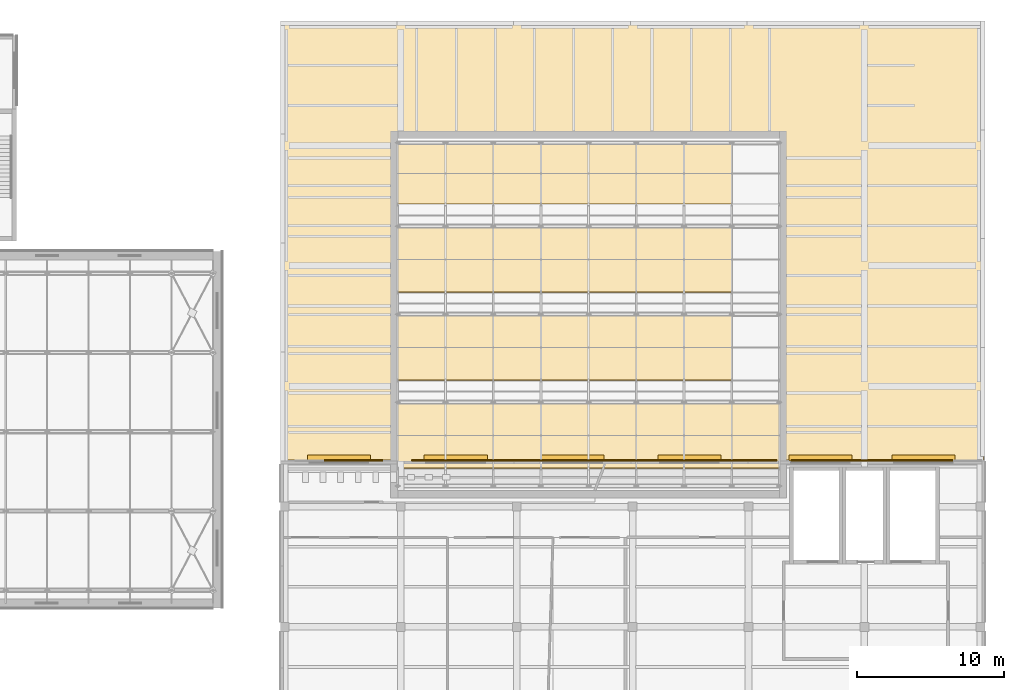
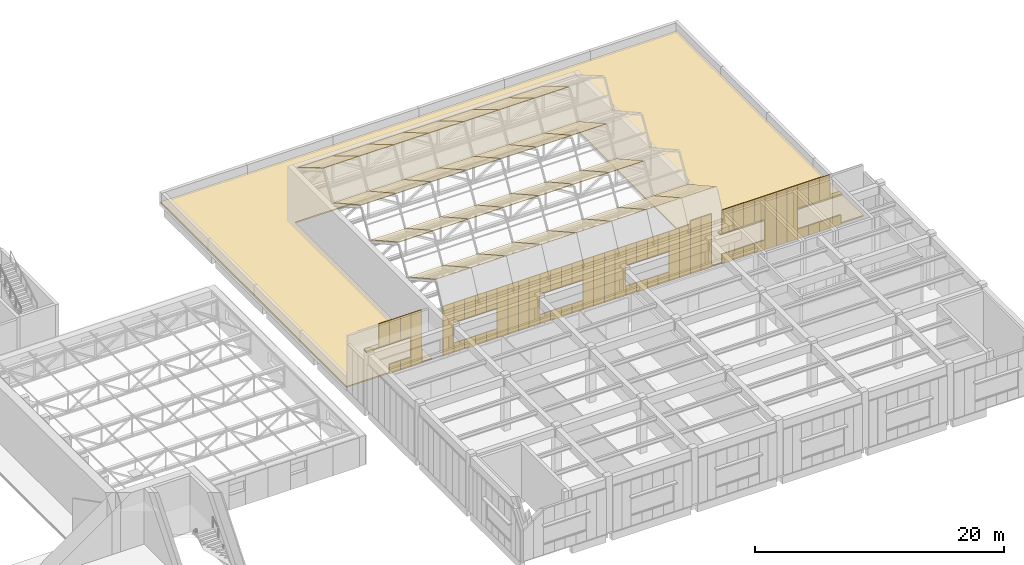
# One storey, part 130 of 132: 91 coverings, 6 shading devices.
"""IFC4 building model written with IfcOpenShell, lengths in metres."""

from ifc_helpers import new_model, si_unit, direction, frame, origin, origin_2d, place, context, subcontext, project, spatial, polyline, rectangle, outline, extrude, material, layer, layer_set, type_object, element, save


model = new_model("IFC4")

# Units and contexts
model_context = context("Model", 3, precision=1e-05, world=origin(), true_north=direction((0.0, 1.0)))
body_context = subcontext(model_context, "Body", "Model", "MODEL_VIEW")
ifc_project = project(units=[si_unit("LENGTHUNIT", "METRE"), si_unit("AREAUNIT", "SQUARE_METRE"), si_unit("VOLUMEUNIT", "CUBIC_METRE"), si_unit("PLANEANGLEUNIT", "RADIAN"), si_unit("MASSUNIT", "GRAM", prefix="KILO")], contexts=[model_context])

# Site, building, storey
site_placement = place(None, origin())
site = spatial("IfcSite", under=ifc_project, at=site_placement, CompositionType="ELEMENT")
building_placement = place(site_placement, origin())
building = spatial("IfcBuilding", under=site, at=building_placement, Name="Lunette Opera House", CompositionType="ELEMENT")
storey_placement = place(building_placement, frame((0.0, 0.0, 17.0)))
storey = spatial("IfcBuildingStorey", under=building, at=storey_placement, Name="L03", CompositionType="ELEMENT", Elevation=17.0)

# Coverings
ifc_material_1 = material(Name="Dark grey aluminium cassette", Category="aluminium")
ifc_layer_1 = layer(ifc_material_1, 0.080078125)
ifc_layer_set_1 = layer_set([ifc_layer_1], Name="Dark grey aluminium cassette")
covering_type_1 = type_object("IfcCoveringType", Name="DARK METAL CASSETTE 80", PredefinedType="CLADDING", material=ifc_layer_set_1)
for number, where, z_axis, x_axis, name in (
    (1, (181.31689453125, 106.0400390625, 0.0), (0.0, 0.0, 1.0), (-1.0, 0.0, 0.0), "Dark Metal Cassette 80 WK L03"),
    (2, (180.31689453125, 106.0400390625, 0.0), (0.0, 0.0, 1.0), (-1.0, 0.0, 0.0), "Dark Metal Cassette 80 WK L03"),
):
    element("IfcCovering", number, at=place(storey_placement, frame(where, z_axis=z_axis, x_axis=x_axis)), inside=storey, type_object=covering_type_1, Name=name, PredefinedType="CLADDING", context=body_context, shape_type="SweptSolid", body=[
        extrude(rectangle(XDim=1.0, YDim=0.080078125, at=origin_2d()), origin(), (0.0, 0.0, 1.0), 0.949951171875),
    ])
covering_1_placement = place(storey_placement, frame((180.31689453125, 106.0400390625, 3.0), z_axis=(0.0, 0.0, 1.0), x_axis=(-1.0, 0.0, 0.0)))
element("IfcCovering", 3, at=covering_1_placement, inside=storey, type_object=covering_type_1, Name="Dark Metal Cassette 80 WK L03", PredefinedType="CLADDING", context=body_context, shape_type="SweptSolid", body=[
    extrude(rectangle(XDim=1.0, YDim=0.080078125, at=origin_2d()), origin(), (0.0, 0.0, 1.0), 2.25),
])
covering_2_placement = place(storey_placement, frame((179.31689453125, 106.0400390625, 0.0), z_axis=(0.0, 0.0, 1.0), x_axis=(-1.0, 0.0, 0.0)))
element("IfcCovering", 4, at=covering_2_placement, inside=storey, type_object=covering_type_1, Name="Dark Metal Cassette 80 WK L03", PredefinedType="CLADDING", context=body_context, shape_type="SweptSolid", body=[
    extrude(rectangle(XDim=1.0, YDim=0.080078125, at=origin_2d()), origin(), (0.0, 0.0, 1.0), 0.949951171875),
])
covering_3_placement = place(storey_placement, frame((179.31689453125, 106.0400390625, 3.0), z_axis=(0.0, 0.0, 1.0), x_axis=(-1.0, 0.0, 0.0)))
element("IfcCovering", 5, at=covering_3_placement, inside=storey, type_object=covering_type_1, Name="Dark Metal Cassette 80 WK L03", PredefinedType="CLADDING", context=body_context, shape_type="SweptSolid", body=[
    extrude(rectangle(XDim=1.0, YDim=0.080078125, at=origin_2d()), origin(), (0.0, 0.0, 1.0), 2.25),
])
covering_4_placement = place(storey_placement, frame((178.31689453125, 106.0400390625, 0.0), z_axis=(0.0, 0.0, 1.0), x_axis=(-1.0, 0.0, 0.0)))
element("IfcCovering", 6, at=covering_4_placement, inside=storey, type_object=covering_type_1, Name="Dark Metal Cassette 80 WK L03", PredefinedType="CLADDING", context=body_context, shape_type="SweptSolid", body=[
    extrude(rectangle(XDim=1.0, YDim=0.080078125, at=origin_2d()), origin(), (0.0, 0.0, 1.0), 0.949951171875),
])
covering_5_placement = place(storey_placement, frame((178.31689453125, 106.0400390625, 3.0), z_axis=(0.0, 0.0, 1.0), x_axis=(-1.0, 0.0, 0.0)))
element("IfcCovering", 7, at=covering_5_placement, inside=storey, type_object=covering_type_1, Name="Dark Metal Cassette 80 WK L03", PredefinedType="CLADDING", context=body_context, shape_type="SweptSolid", body=[
    extrude(rectangle(XDim=1.0, YDim=0.080078125, at=origin_2d()), origin(), (0.0, 0.0, 1.0), 2.25),
])
for number, where, z_axis, x_axis, name in (
    (8, (177.321044921875, 106.0400390625, 0.0), (0.0, 0.0, 1.0), (-1.0, 0.0, 0.0), "Dark Metal Cassette 80 WK L03"),
    (9, (176.3291015625, 106.0400390625, 0.0), (0.0, 0.0, 1.0), (-1.0, 0.0, 0.0), "Dark Metal Cassette 80 WK L03"),
):
    element("IfcCovering", number, at=place(storey_placement, frame(where, z_axis=z_axis, x_axis=x_axis)), inside=storey, type_object=covering_type_1, Name=name, PredefinedType="CLADDING", context=body_context, shape_type="SweptSolid", body=[
        extrude(rectangle(XDim=0.991943359375, YDim=0.080078125, at=origin_2d()), origin(), (0.0, 0.0, 1.0), 5.25),
    ])
covering_6_placement = place(storey_placement, frame((175.31591796875, 106.0400390625, 0.0), z_axis=(0.0, 0.0, 1.0), x_axis=(-1.0, 0.0, 0.0)))
element("IfcCovering", 10, at=covering_6_placement, inside=storey, type_object=covering_type_1, Name="Dark Metal Cassette 80 WK L03", PredefinedType="CLADDING", context=body_context, shape_type="SweptSolid", body=[
    extrude(rectangle(XDim=1.032958984375, YDim=0.080078125, at=origin_2d()), origin(), (0.0, 0.0, 1.0), 5.25),
])
covering_7_placement = place(storey_placement, frame((174.300048828125, 106.0400390625, 0.0), z_axis=(0.0, 0.0, 1.0), x_axis=(-1.0, 0.0, 0.0)))
element("IfcCovering", 11, at=covering_7_placement, inside=storey, type_object=covering_type_1, Name="Dark Metal Cassette 80 WK L03", PredefinedType="CLADDING", context=body_context, shape_type="SweptSolid", body=[
    extrude(rectangle(XDim=1.0, YDim=0.080078125, at=origin_2d()), origin(), (0.0, 0.0, 1.0), 0.949951171875),
])
covering_8_placement = place(storey_placement, frame((174.300048828125, 106.0400390625, 3.0), z_axis=(0.0, 0.0, 1.0), x_axis=(-1.0, 0.0, 0.0)))
element("IfcCovering", 12, at=covering_8_placement, inside=storey, type_object=covering_type_1, Name="Dark Metal Cassette 80 WK L03", PredefinedType="CLADDING", context=body_context, shape_type="SweptSolid", body=[
    extrude(rectangle(XDim=1.0, YDim=0.080078125, at=origin_2d()), origin(), (0.0, 0.0, 1.0), 2.25),
])
covering_9_placement = place(storey_placement, frame((173.300048828125, 106.0400390625, 0.0), z_axis=(0.0, 0.0, 1.0), x_axis=(-1.0, 0.0, 0.0)))
element("IfcCovering", 13, at=covering_9_placement, inside=storey, type_object=covering_type_1, Name="Dark Metal Cassette 80 WK L03", PredefinedType="CLADDING", context=body_context, shape_type="SweptSolid", body=[
    extrude(rectangle(XDim=1.0, YDim=0.080078125, at=origin_2d()), origin(), (0.0, 0.0, 1.0), 0.949951171875),
])
covering_10_placement = place(storey_placement, frame((173.300048828125, 106.0400390625, 3.0), z_axis=(0.0, 0.0, 1.0), x_axis=(-1.0, 0.0, 0.0)))
element("IfcCovering", 14, at=covering_10_placement, inside=storey, type_object=covering_type_1, Name="Dark Metal Cassette 80 WK L03", PredefinedType="CLADDING", context=body_context, shape_type="SweptSolid", body=[
    extrude(rectangle(XDim=1.0, YDim=0.080078125, at=origin_2d()), origin(), (0.0, 0.0, 1.0), 2.25),
])
covering_11_placement = place(storey_placement, frame((172.300048828125, 106.0400390625, 0.0), z_axis=(0.0, 0.0, 1.0), x_axis=(-1.0, 0.0, 0.0)))
element("IfcCovering", 15, at=covering_11_placement, inside=storey, type_object=covering_type_1, Name="Dark Metal Cassette 80 WK L03", PredefinedType="CLADDING", context=body_context, shape_type="SweptSolid", body=[
    extrude(rectangle(XDim=1.0, YDim=0.080078125, at=origin_2d()), origin(), (0.0, 0.0, 1.0), 0.949951171875),
])
covering_12_placement = place(storey_placement, frame((172.300048828125, 106.0400390625, 3.0), z_axis=(0.0, 0.0, 1.0), x_axis=(-1.0, 0.0, 0.0)))
element("IfcCovering", 16, at=covering_12_placement, inside=storey, type_object=covering_type_1, Name="Dark Metal Cassette 80 WK L03", PredefinedType="CLADDING", context=body_context, shape_type="SweptSolid", body=[
    extrude(rectangle(XDim=1.0, YDim=0.080078125, at=origin_2d()), origin(), (0.0, 0.0, 1.0), 2.25),
])
covering_13_placement = place(storey_placement, frame((171.300048828125, 106.0400390625, 0.0), z_axis=(0.0, 0.0, 1.0), x_axis=(-1.0, 0.0, 0.0)))
element("IfcCovering", 17, at=covering_13_placement, inside=storey, type_object=covering_type_1, Name="Dark Metal Cassette 80 WK L03", PredefinedType="CLADDING", context=body_context, shape_type="SweptSolid", body=[
    extrude(rectangle(XDim=1.0, YDim=0.080078125, at=origin_2d()), origin(), (0.0, 0.0, 1.0), 0.949951171875),
])
covering_14_placement = place(storey_placement, frame((171.300048828125, 106.0400390625, 3.0), z_axis=(0.0, 0.0, 1.0), x_axis=(-1.0, 0.0, 0.0)))
element("IfcCovering", 18, at=covering_14_placement, inside=storey, type_object=covering_type_1, Name="Dark Metal Cassette 80 WK L03", PredefinedType="CLADDING", context=body_context, shape_type="SweptSolid", body=[
    extrude(rectangle(XDim=1.0, YDim=0.080078125, at=origin_2d()), origin(), (0.0, 0.0, 1.0), 2.25),
])
for number, where, z_axis, x_axis, name in (
    (19, (169.3330078125, 106.0400390625, 0.0), (0.0, 0.0, 1.0), (-1.0, 0.0, 0.0), "Dark Metal Cassette 80 WK L03"),
    (20, (168.35595703125, 106.0400390625, 0.0), (0.0, 0.0, 1.0), (-1.0, 0.0, 0.0), "Dark Metal Cassette 80 WK L03"),
):
    element("IfcCovering", number, at=place(storey_placement, frame(where, z_axis=z_axis, x_axis=x_axis)), inside=storey, type_object=covering_type_1, Name=name, PredefinedType="CLADDING", context=body_context, shape_type="SweptSolid", body=[
        extrude(rectangle(XDim=0.97802734375, YDim=0.080078125, at=origin_2d()), origin(), (0.0, 0.0, 1.0), 5.25),
    ])
for number, where, z_axis, x_axis, name in (
    (21, (167.37109375, 106.0400390625, 0.0), (0.0, 0.0, 1.0), (-1.0, 0.0, 0.0), "Dark Metal Cassette 80 WK L03"),
    (22, (166.3798828125, 106.0400390625, 0.0), (0.0, 0.0, 1.0), (-1.0, 0.0, 0.0), "Dark Metal Cassette 80 WK L03"),
):
    element("IfcCovering", number, at=place(storey_placement, frame(where, z_axis=z_axis, x_axis=x_axis)), inside=storey, type_object=covering_type_1, Name=name, PredefinedType="CLADDING", context=body_context, shape_type="SweptSolid", body=[
        extrude(rectangle(XDim=0.991943359375, YDim=0.080078125, at=origin_2d()), origin(), (0.0, 0.0, 1.0), 4.89990234375),
    ])
covering_15_placement = place(storey_placement, frame((165.384033203125, 106.0400390625, 0.0), z_axis=(0.0, 0.0, 1.0), x_axis=(-1.0, 0.0, 0.0)))
element("IfcCovering", 23, at=covering_15_placement, inside=storey, type_object=covering_type_1, Name="Dark Metal Cassette 80 WK L03", PredefinedType="CLADDING", context=body_context, shape_type="SweptSolid", body=[
    extrude(rectangle(XDim=1.0, YDim=0.080078125, at=origin_2d()), origin(), (0.0, 0.0, 1.0), 0.949951171875),
])
covering_16_placement = place(storey_placement, frame((165.384033203125, 106.0400390625, 3.0), z_axis=(0.0, 0.0, 1.0), x_axis=(-1.0, 0.0, 0.0)))
element("IfcCovering", 24, at=covering_16_placement, inside=storey, type_object=covering_type_1, Name="Dark Metal Cassette 80 WK L03", PredefinedType="CLADDING", context=body_context, shape_type="SweptSolid", body=[
    extrude(rectangle(XDim=1.0, YDim=0.080078125, at=origin_2d()), origin(), (0.0, 0.0, 1.0), 1.89990234375),
])
covering_17_placement = place(storey_placement, frame((164.384033203125, 106.0400390625, 0.0), z_axis=(0.0, 0.0, 1.0), x_axis=(-1.0, 0.0, 0.0)))
element("IfcCovering", 25, at=covering_17_placement, inside=storey, type_object=covering_type_1, Name="Dark Metal Cassette 80 WK L03", PredefinedType="CLADDING", context=body_context, shape_type="SweptSolid", body=[
    extrude(rectangle(XDim=1.0, YDim=0.080078125, at=origin_2d()), origin(), (0.0, 0.0, 1.0), 0.949951171875),
])
covering_18_placement = place(storey_placement, frame((164.384033203125, 106.0400390625, 3.0), z_axis=(0.0, 0.0, 1.0), x_axis=(-1.0, 0.0, 0.0)))
element("IfcCovering", 26, at=covering_18_placement, inside=storey, type_object=covering_type_1, Name="Dark Metal Cassette 80 WK L03", PredefinedType="CLADDING", context=body_context, shape_type="SweptSolid", body=[
    extrude(rectangle(XDim=1.0, YDim=0.080078125, at=origin_2d()), origin(), (0.0, 0.0, 1.0), 1.89990234375),
])
covering_19_placement = place(storey_placement, frame((163.384033203125, 106.0400390625, 0.0), z_axis=(0.0, 0.0, 1.0), x_axis=(-1.0, 0.0, 0.0)))
element("IfcCovering", 27, at=covering_19_placement, inside=storey, type_object=covering_type_1, Name="Dark Metal Cassette 80 WK L03", PredefinedType="CLADDING", context=body_context, shape_type="SweptSolid", body=[
    extrude(rectangle(XDim=1.0, YDim=0.080078125, at=origin_2d()), origin(), (0.0, 0.0, 1.0), 0.949951171875),
])
covering_20_placement = place(storey_placement, frame((163.384033203125, 106.0400390625, 3.0), z_axis=(0.0, 0.0, 1.0), x_axis=(-1.0, 0.0, 0.0)))
element("IfcCovering", 28, at=covering_20_placement, inside=storey, type_object=covering_type_1, Name="Dark Metal Cassette 80 WK L03", PredefinedType="CLADDING", context=body_context, shape_type="SweptSolid", body=[
    extrude(rectangle(XDim=1.0, YDim=0.080078125, at=origin_2d()), origin(), (0.0, 0.0, 1.0), 1.89990234375),
])
covering_21_placement = place(storey_placement, frame((162.384033203125, 106.0400390625, 0.0), z_axis=(0.0, 0.0, 1.0), x_axis=(-1.0, 0.0, 0.0)))
element("IfcCovering", 29, at=covering_21_placement, inside=storey, type_object=covering_type_1, Name="Dark Metal Cassette 80 WK L03", PredefinedType="CLADDING", context=body_context, shape_type="SweptSolid", body=[
    extrude(rectangle(XDim=1.0, YDim=0.080078125, at=origin_2d()), origin(), (0.0, 0.0, 1.0), 0.949951171875),
])
covering_22_placement = place(storey_placement, frame((162.384033203125, 106.0400390625, 3.0), z_axis=(0.0, 0.0, 1.0), x_axis=(-1.0, 0.0, 0.0)))
element("IfcCovering", 30, at=covering_22_placement, inside=storey, type_object=covering_type_1, Name="Dark Metal Cassette 80 WK L03", PredefinedType="CLADDING", context=body_context, shape_type="SweptSolid", body=[
    extrude(rectangle(XDim=1.0, YDim=0.080078125, at=origin_2d()), origin(), (0.0, 0.0, 1.0), 1.89990234375),
])
for number, where, z_axis, x_axis, name in (
    (31, (161.387939453125, 106.0400390625, 0.0), (0.0, 0.0, 1.0), (-1.0, 0.0, 0.0), "Dark Metal Cassette 80 WK L03"),
    (32, (160.39599609375, 106.0400390625, 0.0), (0.0, 0.0, 1.0), (-1.0, 0.0, 0.0), "Dark Metal Cassette 80 WK L03"),
    (33, (159.404052734375, 106.0400390625, 0.0), (0.0, 0.0, 1.0), (-1.0, 0.0, 0.0), "Dark Metal Cassette 80 WK L03"),
    (34, (158.4130859375, 106.0400390625, 0.0), (0.0, 0.0, 1.0), (-1.0, 0.0, 0.0), "Dark Metal Cassette 80 WK L03"),
):
    element("IfcCovering", number, at=place(storey_placement, frame(where, z_axis=z_axis, x_axis=x_axis)), inside=storey, type_object=covering_type_1, Name=name, PredefinedType="CLADDING", context=body_context, shape_type="SweptSolid", body=[
        extrude(rectangle(XDim=0.991943359375, YDim=0.080078125, at=origin_2d()), origin(), (0.0, 0.0, 1.0), 4.89990234375),
    ])
covering_23_placement = place(storey_placement, frame((157.4169921875, 106.0400390625, 0.0), z_axis=(0.0, 0.0, 1.0), x_axis=(-1.0, 0.0, 0.0)))
element("IfcCovering", 35, at=covering_23_placement, inside=storey, type_object=covering_type_1, Name="Dark Metal Cassette 80 WK L03", PredefinedType="CLADDING", context=body_context, shape_type="SweptSolid", body=[
    extrude(rectangle(XDim=1.0, YDim=0.080078125, at=origin_2d()), origin(), (0.0, 0.0, 1.0), 0.949951171875),
])
covering_24_placement = place(storey_placement, frame((157.4169921875, 106.0400390625, 3.0), z_axis=(0.0, 0.0, 1.0), x_axis=(-1.0, 0.0, 0.0)))
element("IfcCovering", 36, at=covering_24_placement, inside=storey, type_object=covering_type_1, Name="Dark Metal Cassette 80 WK L03", PredefinedType="CLADDING", context=body_context, shape_type="SweptSolid", body=[
    extrude(rectangle(XDim=1.0, YDim=0.080078125, at=origin_2d()), origin(), (0.0, 0.0, 1.0), 1.89990234375),
])
covering_25_placement = place(storey_placement, frame((156.4169921875, 106.0400390625, 0.0), z_axis=(0.0, 0.0, 1.0), x_axis=(-1.0, 0.0, 0.0)))
element("IfcCovering", 37, at=covering_25_placement, inside=storey, type_object=covering_type_1, Name="Dark Metal Cassette 80 WK L03", PredefinedType="CLADDING", context=body_context, shape_type="SweptSolid", body=[
    extrude(rectangle(XDim=1.0, YDim=0.080078125, at=origin_2d()), origin(), (0.0, 0.0, 1.0), 0.949951171875),
])
covering_26_placement = place(storey_placement, frame((156.4169921875, 106.0400390625, 3.0), z_axis=(0.0, 0.0, 1.0), x_axis=(-1.0, 0.0, 0.0)))
element("IfcCovering", 38, at=covering_26_placement, inside=storey, type_object=covering_type_1, Name="Dark Metal Cassette 80 WK L03", PredefinedType="CLADDING", context=body_context, shape_type="SweptSolid", body=[
    extrude(rectangle(XDim=1.0, YDim=0.080078125, at=origin_2d()), origin(), (0.0, 0.0, 1.0), 1.89990234375),
])
covering_27_placement = place(storey_placement, frame((155.4169921875, 106.0400390625, 0.0), z_axis=(0.0, 0.0, 1.0), x_axis=(-1.0, 0.0, 0.0)))
element("IfcCovering", 39, at=covering_27_placement, inside=storey, type_object=covering_type_1, Name="Dark Metal Cassette 80 WK L03", PredefinedType="CLADDING", context=body_context, shape_type="SweptSolid", body=[
    extrude(rectangle(XDim=1.0, YDim=0.080078125, at=origin_2d()), origin(), (0.0, 0.0, 1.0), 0.949951171875),
])
covering_28_placement = place(storey_placement, frame((155.4169921875, 106.0400390625, 3.0), z_axis=(0.0, 0.0, 1.0), x_axis=(-1.0, 0.0, 0.0)))
element("IfcCovering", 40, at=covering_28_placement, inside=storey, type_object=covering_type_1, Name="Dark Metal Cassette 80 WK L03", PredefinedType="CLADDING", context=body_context, shape_type="SweptSolid", body=[
    extrude(rectangle(XDim=1.0, YDim=0.080078125, at=origin_2d()), origin(), (0.0, 0.0, 1.0), 1.89990234375),
])
covering_29_placement = place(storey_placement, frame((154.4169921875, 106.0400390625, 0.0), z_axis=(0.0, 0.0, 1.0), x_axis=(-1.0, 0.0, 0.0)))
element("IfcCovering", 41, at=covering_29_placement, inside=storey, type_object=covering_type_1, Name="Dark Metal Cassette 80 WK L03", PredefinedType="CLADDING", context=body_context, shape_type="SweptSolid", body=[
    extrude(rectangle(XDim=1.0, YDim=0.080078125, at=origin_2d()), origin(), (0.0, 0.0, 1.0), 0.949951171875),
])
covering_30_placement = place(storey_placement, frame((154.4169921875, 106.0400390625, 3.0), z_axis=(0.0, 0.0, 1.0), x_axis=(-1.0, 0.0, 0.0)))
element("IfcCovering", 42, at=covering_30_placement, inside=storey, type_object=covering_type_1, Name="Dark Metal Cassette 80 WK L03", PredefinedType="CLADDING", context=body_context, shape_type="SweptSolid", body=[
    extrude(rectangle(XDim=1.0, YDim=0.080078125, at=origin_2d()), origin(), (0.0, 0.0, 1.0), 1.89990234375),
])
for number, where, z_axis, x_axis, name in (
    (43, (153.4208984375, 106.0400390625, 0.0), (0.0, 0.0, 1.0), (-1.0, 0.0, 0.0), "Dark Metal Cassette 80 WK L03"),
    (44, (152.428955078125, 106.0400390625, 0.0), (0.0, 0.0, 1.0), (-1.0, 0.0, 0.0), "Dark Metal Cassette 80 WK L03"),
    (45, (151.43701171875, 106.0400390625, 0.0), (0.0, 0.0, 1.0), (-1.0, 0.0, 0.0), "Dark Metal Cassette 80 WK L03"),
    (46, (150.446044921875, 106.0400390625, 0.0), (0.0, 0.0, 1.0), (-1.0, 0.0, 0.0), "Dark Metal Cassette 80 WK L03"),
):
    element("IfcCovering", number, at=place(storey_placement, frame(where, z_axis=z_axis, x_axis=x_axis)), inside=storey, type_object=covering_type_1, Name=name, PredefinedType="CLADDING", context=body_context, shape_type="SweptSolid", body=[
        extrude(rectangle(XDim=0.991943359375, YDim=0.080078125, at=origin_2d()), origin(), (0.0, 0.0, 1.0), 4.89990234375),
    ])
covering_31_placement = place(storey_placement, frame((149.449951171875, 106.0400390625, 0.0), z_axis=(0.0, 0.0, 1.0), x_axis=(-1.0, 0.0, 0.0)))
element("IfcCovering", 47, at=covering_31_placement, inside=storey, type_object=covering_type_1, Name="Dark Metal Cassette 80 WK L03", PredefinedType="CLADDING", context=body_context, shape_type="SweptSolid", body=[
    extrude(rectangle(XDim=1.0, YDim=0.080078125, at=origin_2d()), origin(), (0.0, 0.0, 1.0), 0.949951171875),
])
covering_32_placement = place(storey_placement, frame((149.449951171875, 106.0400390625, 3.0), z_axis=(0.0, 0.0, 1.0), x_axis=(-1.0, 0.0, 0.0)))
element("IfcCovering", 48, at=covering_32_placement, inside=storey, type_object=covering_type_1, Name="Dark Metal Cassette 80 WK L03", PredefinedType="CLADDING", context=body_context, shape_type="SweptSolid", body=[
    extrude(rectangle(XDim=1.0, YDim=0.080078125, at=origin_2d()), origin(), (0.0, 0.0, 1.0), 1.89990234375),
])
covering_33_placement = place(storey_placement, frame((148.449951171875, 106.0400390625, 0.0), z_axis=(0.0, 0.0, 1.0), x_axis=(-1.0, 0.0, 0.0)))
element("IfcCovering", 49, at=covering_33_placement, inside=storey, type_object=covering_type_1, Name="Dark Metal Cassette 80 WK L03", PredefinedType="CLADDING", context=body_context, shape_type="SweptSolid", body=[
    extrude(rectangle(XDim=1.0, YDim=0.080078125, at=origin_2d()), origin(), (0.0, 0.0, 1.0), 0.949951171875),
])
covering_34_placement = place(storey_placement, frame((148.449951171875, 106.0400390625, 3.0), z_axis=(0.0, 0.0, 1.0), x_axis=(-1.0, 0.0, 0.0)))
element("IfcCovering", 50, at=covering_34_placement, inside=storey, type_object=covering_type_1, Name="Dark Metal Cassette 80 WK L03", PredefinedType="CLADDING", context=body_context, shape_type="SweptSolid", body=[
    extrude(rectangle(XDim=1.0, YDim=0.080078125, at=origin_2d()), origin(), (0.0, 0.0, 1.0), 1.89990234375),
])
covering_35_placement = place(storey_placement, frame((147.449951171875, 106.0400390625, 0.0), z_axis=(0.0, 0.0, 1.0), x_axis=(-1.0, 0.0, 0.0)))
element("IfcCovering", 51, at=covering_35_placement, inside=storey, type_object=covering_type_1, Name="Dark Metal Cassette 80 WK L03", PredefinedType="CLADDING", context=body_context, shape_type="SweptSolid", body=[
    extrude(rectangle(XDim=1.0, YDim=0.080078125, at=origin_2d()), origin(), (0.0, 0.0, 1.0), 0.949951171875),
])
covering_36_placement = place(storey_placement, frame((147.449951171875, 106.0400390625, 3.0), z_axis=(0.0, 0.0, 1.0), x_axis=(-1.0, 0.0, 0.0)))
element("IfcCovering", 52, at=covering_36_placement, inside=storey, type_object=covering_type_1, Name="Dark Metal Cassette 80 WK L03", PredefinedType="CLADDING", context=body_context, shape_type="SweptSolid", body=[
    extrude(rectangle(XDim=1.0, YDim=0.080078125, at=origin_2d()), origin(), (0.0, 0.0, 1.0), 1.89990234375),
])
covering_37_placement = place(storey_placement, frame((146.449951171875, 106.0400390625, 0.0), z_axis=(0.0, 0.0, 1.0), x_axis=(-1.0, 0.0, 0.0)))
element("IfcCovering", 53, at=covering_37_placement, inside=storey, type_object=covering_type_1, Name="Dark Metal Cassette 80 WK L03", PredefinedType="CLADDING", context=body_context, shape_type="SweptSolid", body=[
    extrude(rectangle(XDim=1.0, YDim=0.080078125, at=origin_2d()), origin(), (0.0, 0.0, 1.0), 0.949951171875),
])
covering_38_placement = place(storey_placement, frame((146.449951171875, 106.0400390625, 3.0), z_axis=(0.0, 0.0, 1.0), x_axis=(-1.0, 0.0, 0.0)))
element("IfcCovering", 54, at=covering_38_placement, inside=storey, type_object=covering_type_1, Name="Dark Metal Cassette 80 WK L03", PredefinedType="CLADDING", context=body_context, shape_type="SweptSolid", body=[
    extrude(rectangle(XDim=1.0, YDim=0.080078125, at=origin_2d()), origin(), (0.0, 0.0, 1.0), 1.89990234375),
])
covering_39_placement = place(storey_placement, frame((145.4541015625, 106.0400390625, 0.0), z_axis=(0.0, 0.0, 1.0), x_axis=(-1.0, 0.0, 0.0)))
element("IfcCovering", 55, at=covering_39_placement, inside=storey, type_object=covering_type_1, Name="Dark Metal Cassette 80 WK L03", PredefinedType="CLADDING", context=body_context, shape_type="SweptSolid", body=[
    extrude(rectangle(XDim=0.990966796875, YDim=0.080078125, at=origin_2d()), origin(), (0.0, 0.0, 1.0), 4.89990234375),
])
covering_40_placement = place(storey_placement, frame((142.47998046875, 106.0400390625, 0.0), z_axis=(0.0, 0.0, 1.0), x_axis=(-1.0, 0.0, 0.0)))
element("IfcCovering", 56, at=covering_40_placement, inside=storey, type_object=covering_type_1, Name="Dark Metal Cassette 80 WK L03", PredefinedType="CLADDING", context=body_context, shape_type="SweptSolid", body=[
    extrude(rectangle(XDim=0.991943359375, YDim=0.080078125, at=origin_2d()), origin(), (0.0, 0.0, 1.0), 5.25),
])
covering_41_placement = place(storey_placement, frame((141.48388671875, 106.0400390625, 0.0), z_axis=(0.0, 0.0, 1.0), x_axis=(-1.0, 0.0, 0.0)))
element("IfcCovering", 57, at=covering_41_placement, inside=storey, type_object=covering_type_1, Name="Dark Metal Cassette 80 WK L03", PredefinedType="CLADDING", context=body_context, shape_type="SweptSolid", body=[
    extrude(rectangle(XDim=1.0, YDim=0.080078125, at=origin_2d()), origin(), (0.0, 0.0, 1.0), 0.949951171875),
])
covering_42_placement = place(storey_placement, frame((141.48388671875, 106.0400390625, 3.0), z_axis=(0.0, 0.0, 1.0), x_axis=(-1.0, 0.0, 0.0)))
element("IfcCovering", 58, at=covering_42_placement, inside=storey, type_object=covering_type_1, Name="Dark Metal Cassette 80 WK L03", PredefinedType="CLADDING", context=body_context, shape_type="SweptSolid", body=[
    extrude(rectangle(XDim=1.0, YDim=0.080078125, at=origin_2d()), origin(), (0.0, 0.0, 1.0), 2.25),
])
covering_43_placement = place(storey_placement, frame((140.48388671875, 106.0400390625, 0.0), z_axis=(0.0, 0.0, 1.0), x_axis=(-1.0, 0.0, 0.0)))
element("IfcCovering", 59, at=covering_43_placement, inside=storey, type_object=covering_type_1, Name="Dark Metal Cassette 80 WK L03", PredefinedType="CLADDING", context=body_context, shape_type="SweptSolid", body=[
    extrude(rectangle(XDim=1.0, YDim=0.080078125, at=origin_2d()), origin(), (0.0, 0.0, 1.0), 0.949951171875),
])
for number, where, z_axis, x_axis, name in (
    (60, (140.48388671875, 106.0400390625, 3.0), (0.0, 0.0, 1.0), (-1.0, 0.0, 0.0), "Dark Metal Cassette 80 WK L03"),
    (61, (139.48388671875, 106.0400390625, 3.0), (0.0, 0.0, 1.0), (-1.0, 0.0, 0.0), "Dark Metal Cassette 80 WK L03"),
):
    element("IfcCovering", number, at=place(storey_placement, frame(where, z_axis=z_axis, x_axis=x_axis)), inside=storey, type_object=covering_type_1, Name=name, PredefinedType="CLADDING", context=body_context, shape_type="SweptSolid", body=[
        extrude(rectangle(XDim=1.0, YDim=0.080078125, at=origin_2d()), origin(), (0.0, 0.0, 1.0), 2.25),
    ])
ifc_material_2 = material(Name="Bitumen membrane on mineral wool")
ifc_layer_2 = layer(ifc_material_2, 0.1201171875)
ifc_layer_set_2 = layer_set([ifc_layer_2], Name="Bitumen membrane on mineral wool")
covering_type_2 = type_object("IfcCoveringType", Name="FLAT ROOF MEMBRANE 120", PredefinedType="ROOFING", material=ifc_layer_set_2)
covering_44_placement = place(storey_placement, origin())
element("IfcCovering", 62, at=covering_44_placement, inside=storey, type_object=covering_type_2, Name="Flat roof membrane WW L02 11", PredefinedType="ROOFING", context=body_context, shape_type="SweptSolid", body=[
    extrude(outline(polyline([(136.050048828125, 135.949951171875), (183.949951171875, 135.949951171875), (183.949951171875, 106.070068359375), (170.050048828125, 106.070068359375), (170.050048828125, 128.0), (170.050048828125, 128.0048828125), (170.049072265625, 128.010009765625), (170.048095703125, 128.014892578125), (170.0458984375, 128.01904296875), (170.0439453125, 128.02392578125), (170.0419921875, 128.028076171875), (170.0390625, 128.031982421875), (170.034912109375, 128.034912109375), (170.031982421875, 128.0390625), (170.028076171875, 128.0419921875), (170.02392578125, 128.0439453125), (170.01904296875, 128.0458984375), (170.014892578125, 128.048095703125), (170.010009765625, 128.049072265625), (170.0048828125, 128.050048828125), (170.0, 128.050048828125), (144.0, 128.050048828125), (143.9951171875, 128.050048828125), (143.989990234375, 128.049072265625), (143.985107421875, 128.048095703125), (143.98095703125, 128.0458984375), (143.97607421875, 128.0439453125), (143.971923828125, 128.0419921875), (143.968017578125, 128.0390625), (143.965087890625, 128.034912109375), (143.9609375, 128.031982421875), (143.9580078125, 128.028076171875), (143.9560546875, 128.02392578125), (143.9541015625, 128.01904296875), (143.951904296875, 128.014892578125), (143.950927734375, 128.010009765625), (143.949951171875, 128.0048828125), (143.949951171875, 128.0), (143.949951171875, 106.070068359375), (136.050048828125, 106.070068359375), (136.050048828125, 135.949951171875)])), origin(), (0.0, 0.0, 1.0), 0.1201171875),
])
ifc_material_3 = material(Name="Zinc standing seam roofing")
ifc_layer_3 = layer(ifc_material_3, 0.050048828125)
ifc_layer_set_3 = layer_set([ifc_layer_3], Name="Zinc standing seam roofing")
covering_type_3 = type_object("IfcCoveringType", Name="SAWTOOTH ROOFING 50", PredefinedType="ROOFING", material=ifc_layer_set_3)
for number, where, z_axis, x_axis, name in (
    (63, (144.0, 105.530029296875, 8.177978515625), (0.0, 0.485728053929, 0.874109980281), (1.0, 0.0, 0.0), "Sawtooth roofing 1R1"),
    (64, (147.25, 105.530029296875, 8.177978515625), (0.0, 0.485728053929, 0.874109980281), (1.0, 0.0, 0.0), "Sawtooth roofing 1R2"),
    (65, (150.5, 105.530029296875, 8.177978515625), (0.0, 0.485728053929, 0.874109980281), (1.0, 0.0, 0.0), "Sawtooth roofing 1R3"),
    (66, (153.75, 105.530029296875, 8.177978515625), (0.0, 0.485728053929, 0.874109980281), (1.0, 0.0, 0.0), "Sawtooth roofing 1R4"),
    (67, (157.0, 105.530029296875, 8.177978515625), (0.0, 0.485728053929, 0.874109980281), (1.0, 0.0, 0.0), "Sawtooth roofing 1R5"),
    (68, (160.25, 105.530029296875, 8.177978515625), (0.0, 0.485728053929, 0.874109980281), (1.0, 0.0, 0.0), "Sawtooth roofing 1R6"),
    (69, (163.5, 105.530029296875, 8.177978515625), (0.0, 0.485728053929, 0.874109980281), (1.0, 0.0, 0.0), "Sawtooth roofing 1R7"),
    (70, (166.75, 105.530029296875, 8.177978515625), (0.0, 0.485728053929, 0.874109980281), (1.0, 0.0, 0.0), "Sawtooth roofing 1R8"),
    (71, (144.0, 111.530029296875, 8.177978515625), (0.0, 0.485728053929, 0.874109980281), (1.0, 0.0, 0.0), "Sawtooth roofing 2R1"),
    (72, (147.25, 111.530029296875, 8.177978515625), (0.0, 0.485728053929, 0.874109980281), (1.0, 0.0, 0.0), "Sawtooth roofing 2R2"),
    (73, (150.5, 111.530029296875, 8.177978515625), (0.0, 0.485728053929, 0.874109980281), (1.0, 0.0, 0.0), "Sawtooth roofing 2R3"),
    (74, (153.75, 111.530029296875, 8.177978515625), (0.0, 0.485728053929, 0.874109980281), (1.0, 0.0, 0.0), "Sawtooth roofing 2R4"),
    (75, (157.0, 111.530029296875, 8.177978515625), (0.0, 0.485728053929, 0.874109980281), (1.0, 0.0, 0.0), "Sawtooth roofing 2R5"),
    (76, (160.25, 111.530029296875, 8.177978515625), (0.0, 0.485728053929, 0.874109980281), (1.0, 0.0, 0.0), "Sawtooth roofing 2R6"),
    (77, (163.5, 111.530029296875, 8.177978515625), (0.0, 0.485728053929, 0.874109980281), (1.0, 0.0, 0.0), "Sawtooth roofing 2R7"),
    (78, (144.0, 117.530029296875, 8.177978515625), (0.0, 0.485728053929, 0.874109980281), (1.0, 0.0, 0.0), "Sawtooth roofing 3R1"),
    (79, (147.25, 117.530029296875, 8.177978515625), (0.0, 0.485728053929, 0.874109980281), (1.0, 0.0, 0.0), "Sawtooth roofing 3R2"),
    (80, (150.5, 117.530029296875, 8.177978515625), (0.0, 0.485728053929, 0.874109980281), (1.0, 0.0, 0.0), "Sawtooth roofing 3R3"),
    (81, (153.75, 117.530029296875, 8.177978515625), (0.0, 0.485728053929, 0.874109980281), (1.0, 0.0, 0.0), "Sawtooth roofing 3R4"),
    (82, (157.0, 117.530029296875, 8.177978515625), (0.0, 0.485728053929, 0.874109980281), (1.0, 0.0, 0.0), "Sawtooth roofing 3R5"),
    (83, (160.25, 117.530029296875, 8.177978515625), (0.0, 0.485728053929, 0.874109980281), (1.0, 0.0, 0.0), "Sawtooth roofing 3R6"),
    (84, (163.5, 117.530029296875, 8.177978515625), (0.0, 0.485728053929, 0.874109980281), (1.0, 0.0, 0.0), "Sawtooth roofing 3R7"),
):
    element("IfcCovering", number, at=place(storey_placement, frame(where, z_axis=z_axis, x_axis=x_axis)), inside=storey, type_object=covering_type_3, Name=name, PredefinedType="ROOFING", context=body_context, shape_type="SweptSolid", body=[
        extrude(outline(polyline([(0.0, 0.0), (3.25, 0.0), (3.25, 5.113739465242481), (0.0, 5.113739465242481), (0.0, 0.0)])), origin(), (0.0, 0.0, -1.0), 0.050048828125),
    ])
for number, where, z_axis, x_axis, name in (
    (85, (144.0, 123.530029296875, 8.179931640625), (0.0, 0.511459093777, 0.859307625587), (1.0, 0.0, 0.0), "Sawtooth roofing 4R1"),
    (86, (147.25, 123.530029296875, 8.179931640625), (0.0, 0.511459093777, 0.859307625587), (1.0, 0.0, 0.0), "Sawtooth roofing 4R2"),
    (87, (150.5, 123.530029296875, 8.179931640625), (0.0, 0.511459093777, 0.859307625587), (1.0, 0.0, 0.0), "Sawtooth roofing 4R3"),
    (88, (153.75, 123.530029296875, 8.179931640625), (0.0, 0.511459093777, 0.859307625587), (1.0, 0.0, 0.0), "Sawtooth roofing 4R4"),
    (89, (157.0, 123.530029296875, 8.179931640625), (0.0, 0.511459093777, 0.859307625587), (1.0, 0.0, 0.0), "Sawtooth roofing 4R5"),
    (90, (160.25, 123.530029296875, 8.179931640625), (0.0, 0.511459093777, 0.859307625587), (1.0, 0.0, 0.0), "Sawtooth roofing 4R6"),
    (91, (163.5, 123.530029296875, 8.179931640625), (0.0, 0.511459093777, 0.859307625587), (1.0, 0.0, 0.0), "Sawtooth roofing 4R7"),
):
    element("IfcCovering", number, at=place(storey_placement, frame(where, z_axis=z_axis, x_axis=x_axis)), inside=storey, type_object=covering_type_3, Name=name, PredefinedType="ROOFING", context=body_context, shape_type="SweptSolid", body=[
        extrude(outline(polyline([(0.0, 0.0), (3.25, 0.0), (3.25, 4.8526531719656525), (0.0, 4.8526531719656525), (0.0, 0.0)])), origin(), (0.0, 0.0, -1.0), 0.050048828125),
    ])

# Shading devices
ifc_material_4 = material(Name="Powder-coated aluminium", Category="aluminium")
ifc_layer_4 = layer(ifc_material_4, 0.1201171875)
ifc_layer_set_4 = layer_set([ifc_layer_4], Name="Powder-coated aluminium")
shading_device_type = type_object("IfcShadingDeviceType", Name="WINDOW HOOD 400 X 4300", PredefinedType="USERDEFINED", material=ifc_layer_set_4)
for number, where, z_axis, x_axis, name in (
    (92, (179.81689453125, 106.199951171875, 2.8798828125), (0.0, 0.0, 1.0), (0.0, 1.0, 0.0), "Window hood WW-N2033"),
    (93, (172.800048828125, 106.199951171875, 2.8798828125), (0.0, 0.0, 1.0), (0.0, 1.0, 0.0), "Window hood WW-N2034"),
    (94, (163.884033203125, 106.199951171875, 2.8798828125), (0.0, 0.0, 1.0), (0.0, 1.0, 0.0), "Window hood WW-N2035"),
    (95, (155.9169921875, 106.199951171875, 2.8798828125), (0.0, 0.0, 1.0), (0.0, 1.0, 0.0), "Window hood WW-N2036"),
    (96, (147.949951171875, 106.199951171875, 2.8798828125), (0.0, 0.0, 1.0), (0.0, 1.0, 0.0), "Window hood WW-N2037"),
    (97, (139.98388671875, 106.199951171875, 2.8798828125), (0.0, 0.0, 1.0), (0.0, 1.0, 0.0), "Window hood WW-N2038"),
):
    element("IfcShadingDevice", number, at=place(storey_placement, frame(where, z_axis=z_axis, x_axis=x_axis)), inside=storey, type_object=shading_device_type, Name=name, ObjectType="WINDOW HOOD", PredefinedType="USERDEFINED", context=body_context, shape_type="SweptSolid", body=[
        extrude(rectangle(XDim=0.39990234375, YDim=4.300048828125, at=origin_2d()), origin(), (0.0, 0.0, 1.0), 0.1201171875),
    ])

save(model, "model.ifc")
